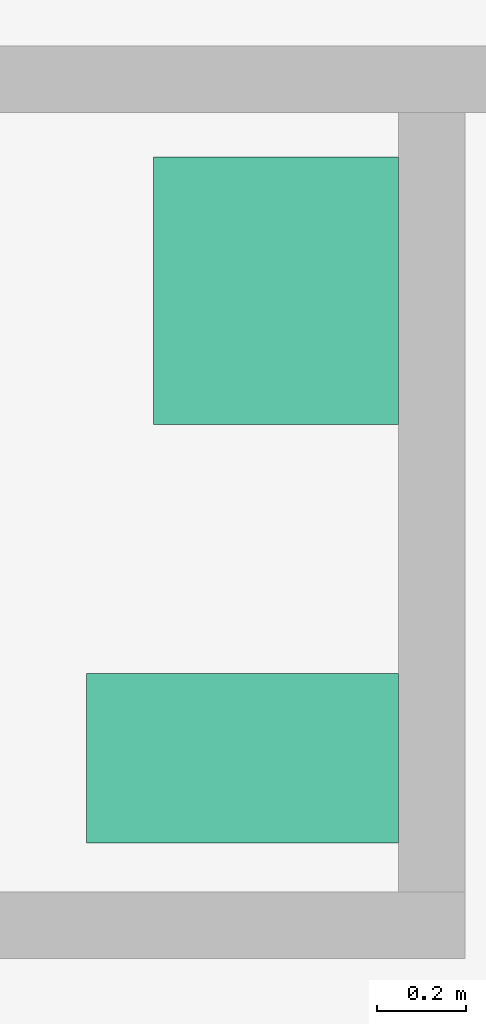
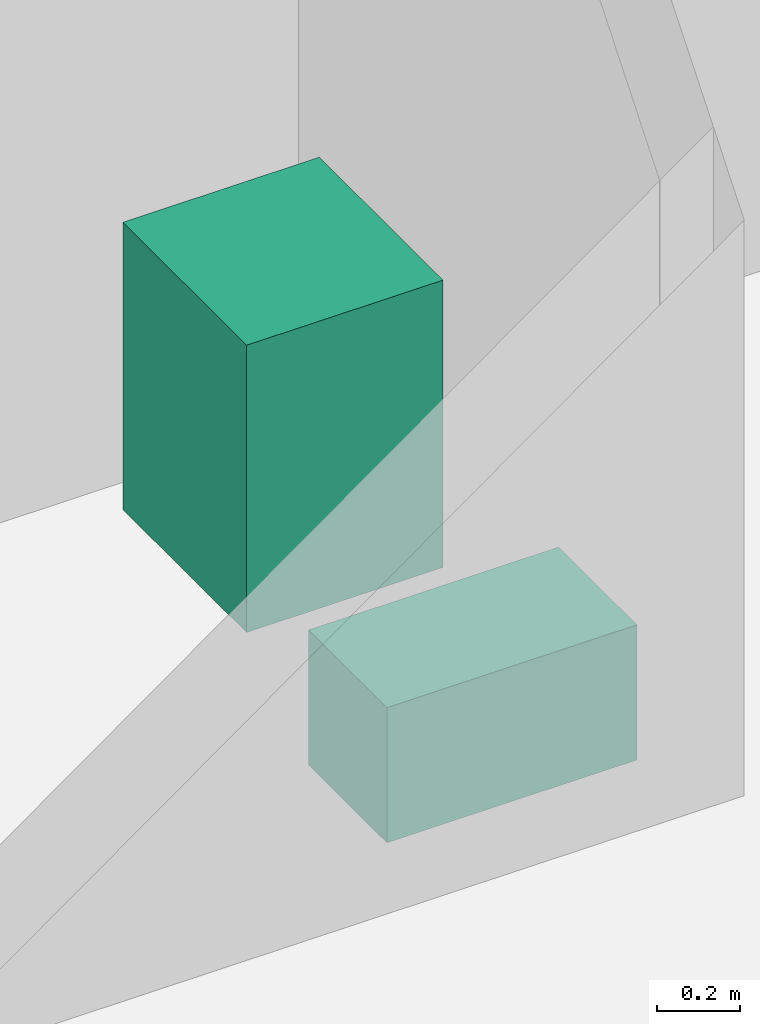
# One storey, part 12 of 12: 2 sanitary terminals.
"""IFC4 building model written with IfcOpenShell, lengths in metres."""

from ifc_helpers import new_model, si_unit, direction, frame, origin, origin_2d, place, context, subcontext, project, spatial, rectangle, extrude, material, element, save


model = new_model("IFC4")

# Units and contexts
model_context = context("Model", 3, precision=1e-05, world=origin(), true_north=direction((0.0, 1.0)))
body_context = subcontext(model_context, "Body", "Model", "MODEL_VIEW")
ifc_project = project(units=[si_unit("LENGTHUNIT", "METRE"), si_unit("AREAUNIT", "SQUARE_METRE"), si_unit("VOLUMEUNIT", "CUBIC_METRE"), si_unit("PLANEANGLEUNIT", "RADIAN"), si_unit("MASSUNIT", "GRAM", prefix="KILO")], contexts=[model_context])

# Site, building, storey
site_placement = place(None, origin())
site = spatial("IfcSite", under=ifc_project, at=site_placement, CompositionType="ELEMENT")
building_placement = place(site_placement, origin())
building = spatial("IfcBuilding", under=site, at=building_placement, Name="Kopane Lantern Tower", CompositionType="ELEMENT")
storey_placement = place(building_placement, frame((0.0, 0.0, 36.39990234375)))
storey = spatial("IfcBuildingStorey", under=building, at=storey_placement, Name="L07", CompositionType="ELEMENT", Elevation=36.39990234375)

# Sanitary terminals
ifc_material = material(Name="Vitreous china")
sanitary_terminal_1_placement = place(storey_placement, frame((34.14990234375, 27.75, 0.000244140625), z_axis=(0.0, 0.0, 1.0), x_axis=(1.0, 0.0, 0.0)))
element("IfcSanitaryTerminal", 1, at=sanitary_terminal_1_placement, inside=storey, material=ifc_material, Name="WC pan L07", PredefinedType="TOILETPAN", context=body_context, shape_type="SweptSolid", body=[
    extrude(rectangle(XDim=0.699951171875, YDim=0.3798828125, at=origin_2d()), origin(), (0.0, 0.0, 1.0), 0.39990234375),
])
sanitary_terminal_2_placement = place(storey_placement, frame((34.22509765625, 28.800048828125, 0.0), z_axis=(0.0, 0.0, 1.0), x_axis=(1.0, 0.0, 0.0)))
element("IfcSanitaryTerminal", 2, at=sanitary_terminal_2_placement, inside=storey, material=ifc_material, Name="Wash basin L07", PredefinedType="WASHHANDBASIN", context=body_context, shape_type="SweptSolid", body=[
    extrude(rectangle(XDim=0.550048828125, YDim=0.60009765625, at=origin_2d()), origin(), (0.0, 0.0, 1.0), 0.85009765625),
])

save(model, "model.ifc")
